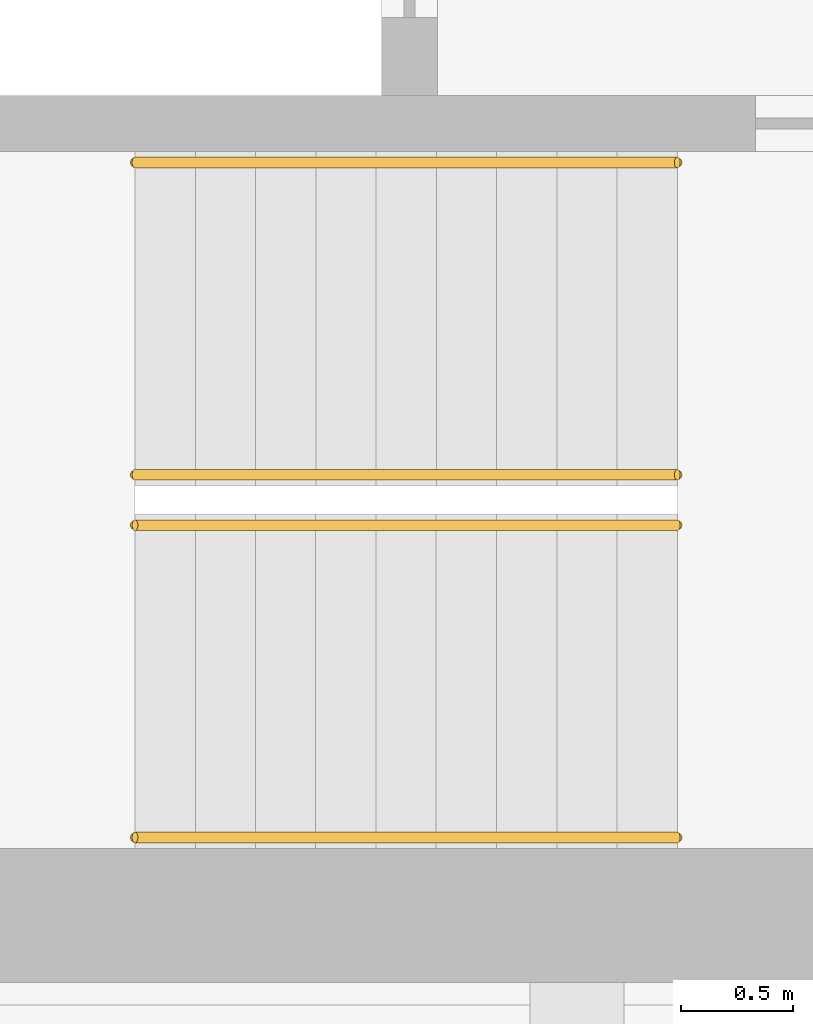
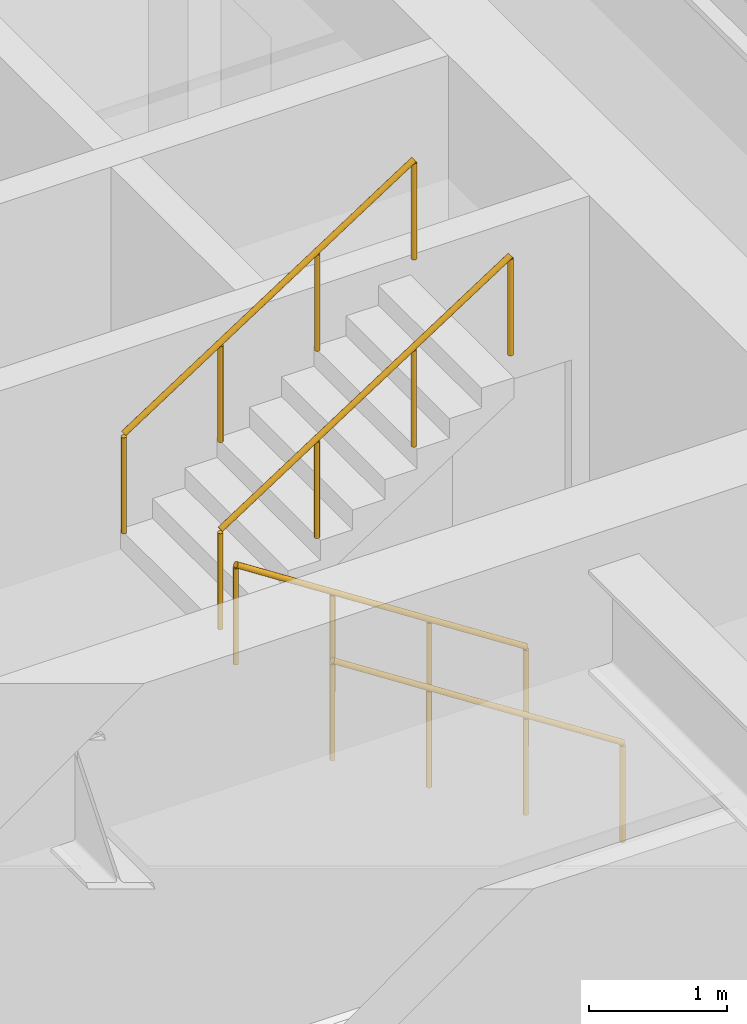
# One storey, part 17 of 21: 4 railings.
"""IFC4 building model written with IfcOpenShell, lengths in metres."""

from ifc_helpers import new_model, si_unit, direction, frame, origin, origin_2d, place, context, subcontext, project, spatial, circle, extrude, material, type_object, element, save


model = new_model("IFC4")

# Units and contexts
model_context = context("Model", 3, precision=1e-05, world=origin(), true_north=direction((0.0, 1.0)))
body_context = subcontext(model_context, "Body", "Model", "MODEL_VIEW")
ifc_project = project(units=[si_unit("LENGTHUNIT", "METRE"), si_unit("AREAUNIT", "SQUARE_METRE"), si_unit("VOLUMEUNIT", "CUBIC_METRE"), si_unit("PLANEANGLEUNIT", "RADIAN"), si_unit("MASSUNIT", "GRAM", prefix="KILO")], contexts=[model_context])

# Site, building, storey
site_placement = place(None, origin())
site = spatial("IfcSite", under=ifc_project, at=site_placement, CompositionType="ELEMENT")
building_placement = place(site_placement, origin())
building = spatial("IfcBuilding", under=site, at=building_placement, Name="Msasa Ring Tower", CompositionType="ELEMENT")
storey_placement = place(building_placement, frame((0.0, 0.0, 103.5)))
storey = spatial("IfcBuildingStorey", under=building, at=storey_placement, Name="L27", CompositionType="ELEMENT", Elevation=103.5)

# Railings
ifc_material = material(Name="Stainless steel", Category="steel")
railing_type = type_object("IfcRailingType", Name="HR1 HANDRAIL 900", PredefinedType="HANDRAIL", material=ifc_material)
for number, where, name in (
    (1, (-10.800048828125, -6.39990234375, 0.175048828125), "Handrail stair SWA L27 1"),
    (2, (-10.800048828125, -5.0, 0.175048828125), "Handrail stair SWA L27 2"),
):
    element("IfcRailing", number, at=place(storey_placement, frame(where)), inside=storey, type_object=railing_type, Name=name, PredefinedType="HANDRAIL", context=body_context, shape_type="SweptSolid", body=[
        extrude(circle(Radius=0.02392578125, at=origin_2d()), frame((0.0, 0.0, 0.8759765625), z_axis=(-0.839153699163, 0.0, 0.543894354798), x_axis=(0.0, -1.0, 0.0)), (0.0, 0.0, 1.0), 2.895751953125),
        extrude(circle(Radius=0.02099609375, at=origin_2d()), origin(), (0.0, 0.0, 1.0), 0.851806640625),
        extrude(circle(Radius=0.02099609375, at=origin_2d()), frame((-0.81005859375, 0.0, 0.52490234375)), (0.0, 0.0, 1.0), 0.851806640625),
        extrude(circle(Radius=0.02099609375, at=origin_2d()), frame((-1.619873046875, 0.0, 1.050048828125)), (0.0, 0.0, 1.0), 0.851806640625),
        extrude(circle(Radius=0.02099609375, at=origin_2d()), frame((-2.429931640625, 0.0, 1.574951171875)), (0.0, 0.0, 1.0), 0.851806640625),
    ])
for number, where, name in (
    (3, (-13.22998046875, -4.77490234375, 1.925048828125), "Handrail stair SWA L27 3"),
    (4, (-13.22998046875, -3.375, 1.925048828125), "Handrail stair SWA L27 4"),
):
    element("IfcRailing", number, at=place(storey_placement, frame(where)), inside=storey, type_object=railing_type, Name=name, PredefinedType="HANDRAIL", context=body_context, shape_type="SweptSolid", body=[
        extrude(circle(Radius=0.02392578125, at=origin_2d()), frame((0.0, 0.0, 0.8759765625), z_axis=(0.839153699163, 0.0, 0.543894354798), x_axis=(0.0, 1.0, 0.0)), (0.0, 0.0, 1.0), 2.895751953125),
        extrude(circle(Radius=0.02099609375, at=origin_2d()), origin(), (0.0, 0.0, 1.0), 0.851806640625),
        extrude(circle(Radius=0.02099609375, at=origin_2d()), frame((0.81005859375, 0.0, 0.52490234375)), (0.0, 0.0, 1.0), 0.851806640625),
        extrude(circle(Radius=0.02099609375, at=origin_2d()), frame((1.619873046875, 0.0, 1.050048828125)), (0.0, 0.0, 1.0), 0.851806640625),
        extrude(circle(Radius=0.02099609375, at=origin_2d()), frame((2.429931640625, 0.0, 1.574951171875)), (0.0, 0.0, 1.0), 0.851806640625),
    ])

save(model, "model.ifc")
